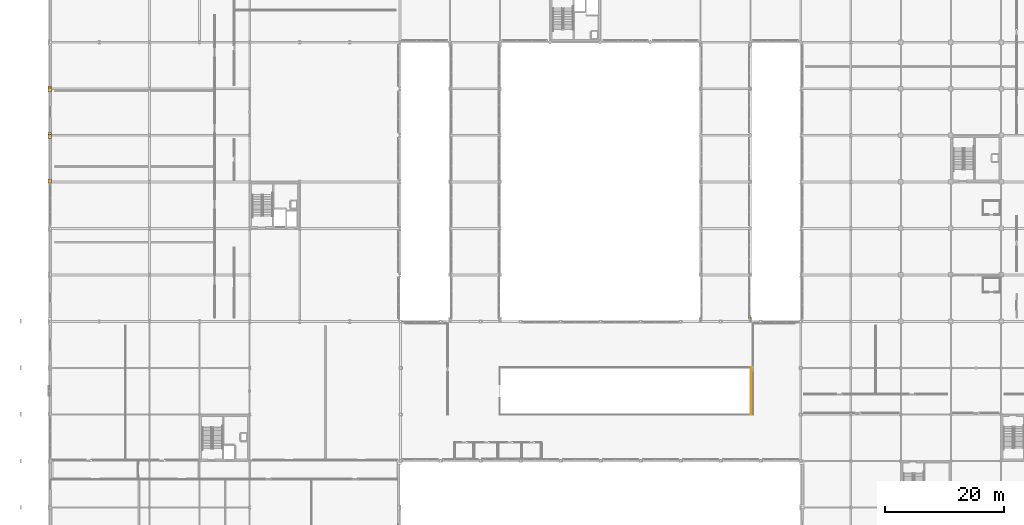
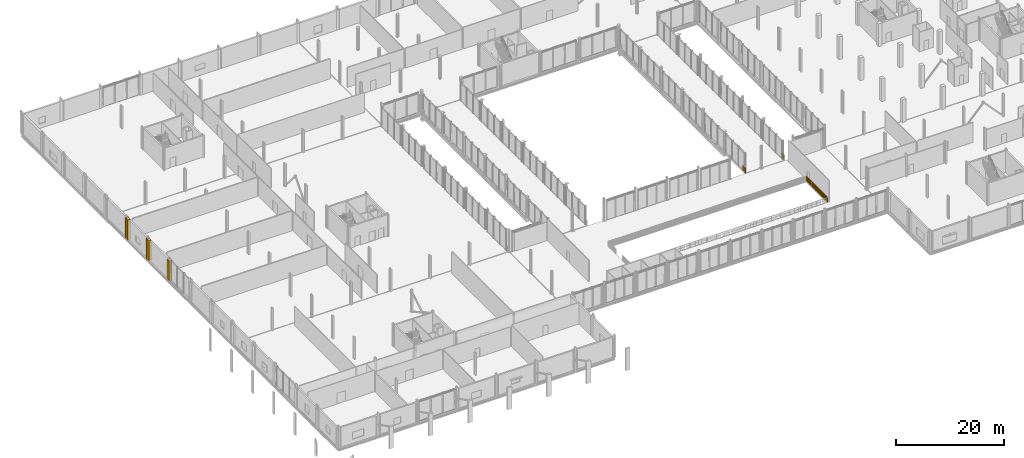
# One storey, part 98 of 105: 5 coverings, 3 railings.
"""IFC4 building model written with IfcOpenShell, lengths in metres."""

from ifc_helpers import new_model, si_unit, direction, frame, origin, origin_2d, place, context, subcontext, project, spatial, polyline, circle, outline, extrude, material, layer, layer_set, type_object, element, save


model = new_model("IFC4")

# Units and contexts
model_context = context("Model", 3, precision=1e-05, world=origin(), true_north=direction((0.0, 1.0)))
body_context = subcontext(model_context, "Body", "Model", "MODEL_VIEW")
ifc_project = project(units=[si_unit("LENGTHUNIT", "METRE"), si_unit("AREAUNIT", "SQUARE_METRE"), si_unit("VOLUMEUNIT", "CUBIC_METRE"), si_unit("PLANEANGLEUNIT", "RADIAN"), si_unit("MASSUNIT", "GRAM", prefix="KILO")], contexts=[model_context])

# Site, building, storey
site_placement = place(None, origin())
site = spatial("IfcSite", under=ifc_project, at=site_placement, CompositionType="ELEMENT")
building_placement = place(site_placement, origin())
building = spatial("IfcBuilding", under=site, at=building_placement, Name="Nabrawat Pavilion Hospital", CompositionType="ELEMENT")
storey_placement = place(building_placement, frame((0.0, 0.0, 5.10009765625)))
storey = spatial("IfcBuildingStorey", under=building, at=storey_placement, Name="L01", CompositionType="ELEMENT", Elevation=5.10009765625)

# Coverings
ifc_material_1 = material(Name="Precast concrete C40/50", Category="concrete")
ifc_layer_1 = layer(ifc_material_1, 0.360107421875, Name="Precast concrete C40/50")
ifc_layer_set_1 = layer_set([ifc_layer_1], Name="Precast concrete C40/50")
covering_type = type_object("IfcCoveringType", Name="Architectural Precast Column-Jamb Closure Reveal", PredefinedType="CLADDING", material=ifc_layer_set_1)
covering_1_placement = place(storey_placement, origin())
element("IfcCovering", 1, at=covering_1_placement, inside=storey, type_object=covering_type, Name="L01 Precast Facade Column-Jamb Weatherseal Closure 0195", PredefinedType="CLADDING", context=body_context, shape_type="SweptSolid", body=[
    extrude(outline(polyline([(0.39990234375, 62.219970703125), (0.39990234375, 62.905029296875), (-0.179931640625, 62.905029296875), (-0.179931640625, 62.219970703125), (0.39990234375, 62.219970703125)])), origin(), (0.0, 0.0, 1.0), 4.4599609375),
])
covering_2_placement = place(storey_placement, origin())
element("IfcCovering", 2, at=covering_2_placement, inside=storey, type_object=covering_type, Name="L01 Precast Facade Column-Jamb Weatherseal Closure 0196", PredefinedType="CLADDING", context=body_context, shape_type="SweptSolid", body=[
    extrude(outline(polyline([(0.39990234375, 69.695068359375), (0.39990234375, 70.3798828125), (-0.179931640625, 70.3798828125), (-0.179931640625, 69.695068359375), (0.39990234375, 69.695068359375)])), origin(), (0.0, 0.0, 1.0), 4.4599609375),
])
covering_3_placement = place(storey_placement, origin())
element("IfcCovering", 3, at=covering_3_placement, inside=storey, type_object=covering_type, Name="L01 Precast Facade Column-Jamb Weatherseal Closure 0197", PredefinedType="CLADDING", context=body_context, shape_type="SweptSolid", body=[
    extrude(outline(polyline([(0.39990234375, 70.02001953125), (0.39990234375, 70.705078125), (-0.179931640625, 70.705078125), (-0.179931640625, 70.02001953125), (0.39990234375, 70.02001953125)])), origin(), (0.0, 0.0, 1.0), 4.4599609375),
])
covering_4_placement = place(storey_placement, origin())
element("IfcCovering", 4, at=covering_4_placement, inside=storey, type_object=covering_type, Name="L01 Precast Facade Column-Jamb Weatherseal Closure 0198", PredefinedType="CLADDING", context=body_context, shape_type="SweptSolid", body=[
    extrude(outline(polyline([(0.39990234375, 77.4951171875), (0.39990234375, 78.179931640625), (-0.179931640625, 78.179931640625), (-0.179931640625, 77.4951171875), (0.39990234375, 77.4951171875)])), origin(), (0.0, 0.0, 1.0), 4.4599609375),
])
covering_5_placement = place(storey_placement, origin())
element("IfcCovering", 5, at=covering_5_placement, inside=storey, type_object=covering_type, Name="L01 Precast Facade Column-Jamb Weatherseal Closure 0199", PredefinedType="CLADDING", context=body_context, shape_type="SweptSolid", body=[
    extrude(outline(polyline([(0.39990234375, 77.820068359375), (0.39990234375, 78.5048828125), (-0.179931640625, 78.5048828125), (-0.179931640625, 77.820068359375), (0.39990234375, 77.820068359375)])), origin(), (0.0, 0.0, 1.0), 4.4599609375),
])

# Railings
ifc_material_2 = material(Name="Stainless Steel 316", Category="steel")
ifc_layer_2 = layer(ifc_material_2, 0.070068359375, Name="Stainless Steel 316")
ifc_layer_set_2 = layer_set([ifc_layer_2], Name="Stainless Steel 316")
railing_type_1 = type_object("IfcRailingType", Name="Exterior Clinical Terrace Safety Guardrail 1100", PredefinedType="GUARDRAIL", material=ifc_layer_set_2)
for number, where, name in (
    (6, (109.260009765625, 39.1201171875, 0.0), "L01 Courtyard Seismic Joint Corner Guardrail 04"),
    (7, (117.5400390625, 39.1201171875, 0.0), "L01 Courtyard Seismic Joint Corner Guardrail 05"),
):
    element("IfcRailing", number, at=place(storey_placement, frame(where)), inside=storey, type_object=railing_type_1, Name=name, PredefinedType="GUARDRAIL", context=body_context, shape_type="SweptSolid", body=[
        extrude(circle(Radius=0.02392578125, at=origin_2d()), frame((0.0, 0.0, 1.09619140625), z_axis=(0.0, 1.0, 0.0), x_axis=(-1.0, 0.0, 0.0)), (0.0, 0.0, 1.0), 0.929931640625),
        extrude(circle(Radius=0.02392578125, at=origin_2d()), frame((0.0, 0.0, 0.10009765625), z_axis=(0.0, 1.0, 0.0), x_axis=(-1.0, 0.0, 0.0)), (0.0, 0.0, 1.0), 0.929931640625),
        extrude(circle(Radius=0.02392578125, at=origin_2d()), frame((0.0, 0.0, 0.615966796875), z_axis=(0.0, 1.0, 0.0), x_axis=(-1.0, 0.0, 0.0)), (0.0, 0.0, 1.0), 0.929931640625),
        extrude(circle(Radius=0.008056640625, at=origin_2d()), frame((0.0, 0.232421875, 0.10009765625)), (0.0, 0.0, 1.0), 0.971923828125),
        extrude(circle(Radius=0.008056640625, at=origin_2d()), frame((0.0, 0.46484375, 0.10009765625)), (0.0, 0.0, 1.0), 0.971923828125),
        extrude(circle(Radius=0.008056640625, at=origin_2d()), frame((0.0, 0.697509765625, 0.10009765625)), (0.0, 0.0, 1.0), 0.971923828125),
        extrude(circle(Radius=0.02099609375, at=origin_2d()), origin(), (0.0, 0.0, 1.0), 1.072021484375),
        extrude(circle(Radius=0.02099609375, at=origin_2d()), frame((0.0, 0.929931640625, 0.0)), (0.0, 0.0, 1.0), 1.072021484375),
    ])
ifc_material_3 = material(Name="Laminated Toughened Glass and Stainless Steel", Category="steel")
ifc_layer_3 = layer(ifc_material_3, 0.080078125, Name="Laminated Toughened Glass and Stainless Steel")
ifc_layer_set_3 = layer_set([ifc_layer_3], Name="Laminated Toughened Glass and Stainless Steel")
railing_type_2 = type_object("IfcRailingType", Name="Main Hall Atrium Void Glass Balustrade 1150", PredefinedType="BALUSTRADE", material=ifc_layer_set_3)
railing_placement = place(storey_placement, frame((117.659912109375, 23.340087890625, 0.0)))
element("IfcRailing", 8, at=railing_placement, inside=storey, type_object=railing_type_2, Name="L01 Main Hall Atrium Gallery Balustrade East", PredefinedType="BALUSTRADE", context=body_context, shape_type="SweptSolid", body=[
    extrude(circle(Radius=0.02392578125, at=origin_2d()), frame((0.0, 0.0, 1.1259765625), z_axis=(0.0, 1.0, 0.0), x_axis=(-1.0, 0.0, 0.0)), (0.0, 0.0, 1.0), 7.919921875),
    extrude(circle(Radius=0.02392578125, at=origin_2d()), frame((0.0, 0.0, 0.10009765625), z_axis=(0.0, 1.0, 0.0), x_axis=(-1.0, 0.0, 0.0)), (0.0, 0.0, 1.0), 7.919921875),
    extrude(circle(Radius=0.02392578125, at=origin_2d()), frame((0.0, 0.0, 0.63232421875), z_axis=(0.0, 1.0, 0.0), x_axis=(-1.0, 0.0, 0.0)), (0.0, 0.0, 1.0), 7.919921875),
    extrude(circle(Radius=0.008056640625, at=origin_2d()), frame((0.0, 0.239990234375, 0.10009765625)), (0.0, 0.0, 1.0), 1.001708984375),
    extrude(circle(Radius=0.008056640625, at=origin_2d()), frame((0.0, 0.47998046875, 0.10009765625)), (0.0, 0.0, 1.0), 1.001708984375),
    extrude(circle(Radius=0.008056640625, at=origin_2d()), frame((0.0, 0.719970703125, 0.10009765625)), (0.0, 0.0, 1.0), 1.001708984375),
    extrude(circle(Radius=0.008056640625, at=origin_2d()), frame((0.0, 0.9599609375, 0.10009765625)), (0.0, 0.0, 1.0), 1.001708984375),
    extrude(circle(Radius=0.008056640625, at=origin_2d()), frame((0.0, 1.199951171875, 0.10009765625)), (0.0, 0.0, 1.0), 1.001708984375),
    extrude(circle(Radius=0.008056640625, at=origin_2d()), frame((0.0, 1.43994140625, 0.10009765625)), (0.0, 0.0, 1.0), 1.001708984375),
    extrude(circle(Radius=0.008056640625, at=origin_2d()), frame((0.0, 1.679931640625, 0.10009765625)), (0.0, 0.0, 1.0), 1.001708984375),
    extrude(circle(Radius=0.008056640625, at=origin_2d()), frame((0.0, 1.919921875, 0.10009765625)), (0.0, 0.0, 1.0), 1.001708984375),
    extrude(circle(Radius=0.008056640625, at=origin_2d()), frame((0.0, 2.159912109375, 0.10009765625)), (0.0, 0.0, 1.0), 1.001708984375),
    extrude(circle(Radius=0.008056640625, at=origin_2d()), frame((0.0, 2.39990234375, 0.10009765625)), (0.0, 0.0, 1.0), 1.001708984375),
    extrude(circle(Radius=0.008056640625, at=origin_2d()), frame((0.0, 2.639892578125, 0.10009765625)), (0.0, 0.0, 1.0), 1.001708984375),
    extrude(circle(Radius=0.008056640625, at=origin_2d()), frame((0.0, 2.8798828125, 0.10009765625)), (0.0, 0.0, 1.0), 1.001708984375),
    extrude(circle(Radius=0.008056640625, at=origin_2d()), frame((0.0, 3.119873046875, 0.10009765625)), (0.0, 0.0, 1.0), 1.001708984375),
    extrude(circle(Radius=0.008056640625, at=origin_2d()), frame((0.0, 3.599853515625, 0.10009765625)), (0.0, 0.0, 1.0), 1.001708984375),
    extrude(circle(Radius=0.008056640625, at=origin_2d()), frame((0.0, 3.83984375, 0.10009765625)), (0.0, 0.0, 1.0), 1.001708984375),
    extrude(circle(Radius=0.008056640625, at=origin_2d()), frame((0.0, 4.080078125, 0.10009765625)), (0.0, 0.0, 1.0), 1.001708984375),
    extrude(circle(Radius=0.008056640625, at=origin_2d()), frame((0.0, 4.320068359375, 0.10009765625)), (0.0, 0.0, 1.0), 1.001708984375),
    extrude(circle(Radius=0.008056640625, at=origin_2d()), frame((0.0, 4.800048828125, 0.10009765625)), (0.0, 0.0, 1.0), 1.001708984375),
    extrude(circle(Radius=0.008056640625, at=origin_2d()), frame((0.0, 5.0400390625, 0.10009765625)), (0.0, 0.0, 1.0), 1.001708984375),
    extrude(circle(Radius=0.008056640625, at=origin_2d()), frame((0.0, 5.280029296875, 0.10009765625)), (0.0, 0.0, 1.0), 1.001708984375),
    extrude(circle(Radius=0.008056640625, at=origin_2d()), frame((0.0, 5.52001953125, 0.10009765625)), (0.0, 0.0, 1.0), 1.001708984375),
    extrude(circle(Radius=0.008056640625, at=origin_2d()), frame((0.0, 5.760009765625, 0.10009765625)), (0.0, 0.0, 1.0), 1.001708984375),
    extrude(circle(Radius=0.008056640625, at=origin_2d()), frame((0.0, 6.0, 0.10009765625)), (0.0, 0.0, 1.0), 1.001708984375),
    extrude(circle(Radius=0.008056640625, at=origin_2d()), frame((0.0, 6.239990234375, 0.10009765625)), (0.0, 0.0, 1.0), 1.001708984375),
    extrude(circle(Radius=0.008056640625, at=origin_2d()), frame((0.0, 6.47998046875, 0.10009765625)), (0.0, 0.0, 1.0), 1.001708984375),
    extrude(circle(Radius=0.008056640625, at=origin_2d()), frame((0.0, 6.719970703125, 0.10009765625)), (0.0, 0.0, 1.0), 1.001708984375),
    extrude(circle(Radius=0.008056640625, at=origin_2d()), frame((0.0, 6.9599609375, 0.10009765625)), (0.0, 0.0, 1.0), 1.001708984375),
    extrude(circle(Radius=0.008056640625, at=origin_2d()), frame((0.0, 7.199951171875, 0.10009765625)), (0.0, 0.0, 1.0), 1.001708984375),
    extrude(circle(Radius=0.008056640625, at=origin_2d()), frame((0.0, 7.43994140625, 0.10009765625)), (0.0, 0.0, 1.0), 1.001708984375),
    extrude(circle(Radius=0.008056640625, at=origin_2d()), frame((0.0, 7.679931640625, 0.10009765625)), (0.0, 0.0, 1.0), 1.001708984375),
    extrude(circle(Radius=0.02099609375, at=origin_2d()), origin(), (0.0, 0.0, 1.0), 1.101806640625),
    extrude(circle(Radius=0.02099609375, at=origin_2d()), frame((0.0, 1.13134765625, 0.0)), (0.0, 0.0, 1.0), 1.101806640625),
    extrude(circle(Radius=0.02099609375, at=origin_2d()), frame((0.0, 2.262939453125, 0.0)), (0.0, 0.0, 1.0), 1.101806640625),
    extrude(circle(Radius=0.02099609375, at=origin_2d()), frame((0.0, 3.394287109375, 0.0)), (0.0, 0.0, 1.0), 1.101806640625),
    extrude(circle(Radius=0.02099609375, at=origin_2d()), frame((0.0, 4.525634765625, 0.0)), (0.0, 0.0, 1.0), 1.101806640625),
    extrude(circle(Radius=0.02099609375, at=origin_2d()), frame((0.0, 5.656982421875, 0.0)), (0.0, 0.0, 1.0), 1.101806640625),
    extrude(circle(Radius=0.02099609375, at=origin_2d()), frame((0.0, 6.78857421875, 0.0)), (0.0, 0.0, 1.0), 1.101806640625),
    extrude(circle(Radius=0.02099609375, at=origin_2d()), frame((0.0, 7.919921875, 0.0)), (0.0, 0.0, 1.0), 1.101806640625),
])

save(model, "model.ifc")
